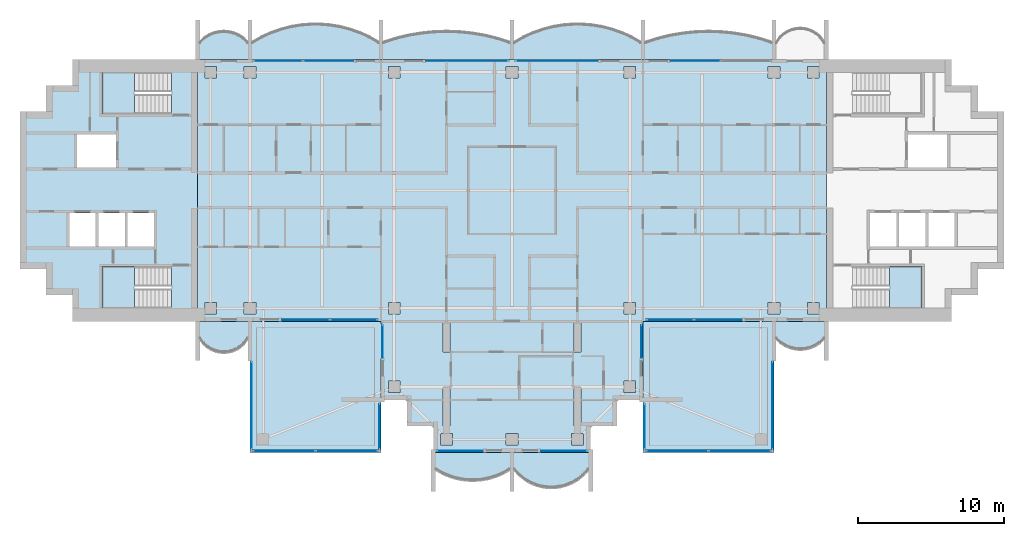
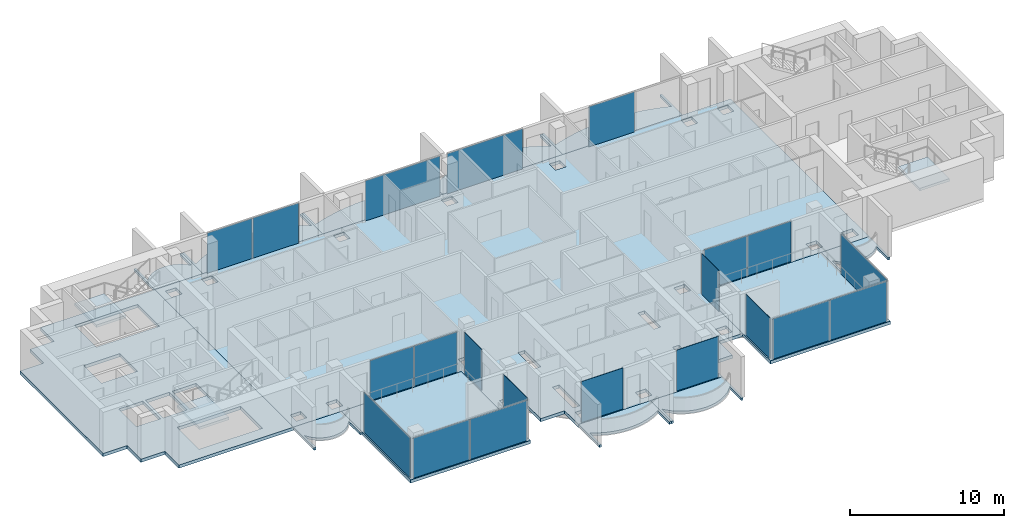
# One storey, part 5 of 16: 21 plates, 16 slabs, 19 elements without a shape of their own.
"""IFC4 building model written with IfcOpenShell, lengths in metres."""

from ifc_helpers import new_model, si_unit, direction, frame, origin, origin_2d, place, context, subcontext, project, spatial, polyline, rectangle, outline, extrude, material, layer, layer_set, type_object, element, aggregate, save


model = new_model("IFC4")

# Units and contexts
model_context = context("Model", 3, precision=1e-05, world=origin(), true_north=direction((0.0, 1.0)))
body_context = subcontext(model_context, "Body", "Model", "MODEL_VIEW")
ifc_project = project(units=[si_unit("LENGTHUNIT", "METRE"), si_unit("AREAUNIT", "SQUARE_METRE"), si_unit("VOLUMEUNIT", "CUBIC_METRE"), si_unit("PLANEANGLEUNIT", "RADIAN"), si_unit("MASSUNIT", "GRAM", prefix="KILO")], contexts=[model_context])

# Site, building, storey
site_placement = place(None, origin())
site = spatial("IfcSite", under=ifc_project, at=site_placement, CompositionType="ELEMENT")
building_placement = place(site_placement, origin())
building = spatial("IfcBuilding", under=site, at=building_placement, Name="Perihelion Cross Residences", CompositionType="ELEMENT")
storey_placement = place(building_placement, frame((0.0, 0.0, 236.0)))
storey = spatial("IfcBuildingStorey", under=building, at=storey_placement, Name="L59", CompositionType="ELEMENT", Elevation=236.0)

# Slabs
ifc_material_1 = material(Name="Concrete C40/50", Category="concrete")
ifc_layer_1 = layer(ifc_material_1, 0.199951171875)
ifc_layer_set_1 = layer_set([ifc_layer_1], Name="Balcony slab 200")
slab_type_1 = type_object("IfcSlabType", Name="Balcony slab 200", PredefinedType="FLOOR", material=ifc_layer_set_1)
slab_1_placement = place(storey_placement, frame((0.0, 0.0, -0.199951171875)))
element("IfcSlab", 1, at=slab_1_placement, inside=storey, type_object=slab_type_1, Name="Slab BK1 L59 east side north bay 2 balcony", PredefinedType="FLOOR", context=body_context, shape_type="SweptSolid", body=[
    extrude(outline(polyline([(18.0, 9.0), (9.0, 9.0), (9.0, 11.699951171875), (9.14990234375, 11.699951171875), (9.14990234375, 10.199951171875), (10.02001953125, 10.47509765625), (10.889892578125, 10.68505859375), (11.760009765625, 10.8330078125), (12.6298828125, 10.9208984375), (13.5, 10.949951171875), (14.3701171875, 10.9208984375), (15.239990234375, 10.8330078125), (16.110107421875, 10.68505859375), (16.97998046875, 10.47509765625), (17.85009765625, 10.199951171875), (17.85009765625, 11.699951171875), (18.0, 11.699951171875), (18.0, 9.0)])), origin(), (0.0, 0.0, 1.0), 0.199951171875),
])
slab_2_placement = place(storey_placement, frame((0.0, 0.0, -0.199951171875)))
element("IfcSlab", 2, at=slab_2_placement, inside=storey, type_object=slab_type_1, Name="Slab BK1 L59 north side east bay 1 balcony", PredefinedType="FLOOR", context=body_context, shape_type="SweptSolid", body=[
    extrude(outline(polyline([(9.0, 9.0), (0.0, 9.0), (0.0, 11.699951171875), (0.14990234375, 11.699951171875), (0.14990234375, 10.199951171875), (0.8193359375, 10.57666015625), (1.488525390625, 10.87646484375), (2.15771484375, 11.108154296875), (2.826904296875, 11.27734375), (3.49609375, 11.38818359375), (4.165283203125, 11.443115234375), (4.834716796875, 11.443115234375), (5.50390625, 11.38818359375), (6.173095703125, 11.27734375), (6.84228515625, 11.108154296875), (7.511474609375, 10.87646484375), (8.1806640625, 10.57666015625), (8.85009765625, 10.199951171875), (8.85009765625, 11.699951171875), (9.0, 11.699951171875), (9.0, 9.0)])), origin(), (0.0, 0.0, 1.0), 0.199951171875),
])
slab_3_placement = place(storey_placement, frame((0.0, 0.0, -0.199951171875)))
element("IfcSlab", 3, at=slab_3_placement, inside=storey, type_object=slab_type_1, Name="Slab BK1 L59 north side east bay 2 balcony", PredefinedType="FLOOR", context=body_context, shape_type="SweptSolid", body=[
    extrude(outline(polyline([(0.0, 9.0), (-9.0, 9.0), (-9.0, 11.699951171875), (-8.85009765625, 11.699951171875), (-8.85009765625, 10.199951171875), (-7.97998046875, 10.47509765625), (-7.110107421875, 10.68505859375), (-6.239990234375, 10.8330078125), (-5.3701171875, 10.9208984375), (-4.5, 10.949951171875), (-3.6298828125, 10.9208984375), (-2.760009765625, 10.8330078125), (-1.889892578125, 10.68505859375), (-1.02001953125, 10.47509765625), (-0.14990234375, 10.199951171875), (-0.14990234375, 11.699951171875), (0.0, 11.699951171875), (0.0, 9.0)])), origin(), (0.0, 0.0, 1.0), 0.199951171875),
])
slab_4_placement = place(storey_placement, frame((0.0, 0.0, -0.199951171875)))
element("IfcSlab", 4, at=slab_4_placement, inside=storey, type_object=slab_type_1, Name="Slab BK1 L59 west side north bay 1 balcony", PredefinedType="FLOOR", context=body_context, shape_type="SweptSolid", body=[
    extrude(outline(polyline([(-9.0, 9.0), (-18.0, 9.0), (-18.0, 11.699951171875), (-17.85009765625, 11.699951171875), (-17.85009765625, 10.199951171875), (-17.1806640625, 10.57666015625), (-16.511474609375, 10.87646484375), (-15.84228515625, 11.108154296875), (-15.173095703125, 11.27734375), (-14.50390625, 11.38818359375), (-13.834716796875, 11.443115234375), (-13.165283203125, 11.443115234375), (-12.49609375, 11.38818359375), (-11.826904296875, 11.27734375), (-11.15771484375, 11.108154296875), (-10.488525390625, 10.87646484375), (-9.8193359375, 10.57666015625), (-9.14990234375, 10.199951171875), (-9.14990234375, 11.699951171875), (-9.0, 11.699951171875), (-9.0, 9.0)])), origin(), (0.0, 0.0, 1.0), 0.199951171875),
])
slab_5_placement = place(storey_placement, frame((0.0, 0.0, -0.199951171875)))
element("IfcSlab", 5, at=slab_5_placement, inside=storey, type_object=slab_type_1, Name="Slab BK1 L59 west side north bay 2 balcony", PredefinedType="FLOOR", context=body_context, shape_type="SweptSolid", body=[
    extrude(outline(polyline([(-18.0, 9.0), (-21.60009765625, 9.0), (-21.60009765625, 11.699951171875), (-21.449951171875, 11.699951171875), (-21.449951171875, 10.199951171875), (-21.1201171875, 10.507568359375), (-20.7900390625, 10.71337890625), (-20.4599609375, 10.84814453125), (-20.1298828125, 10.925048828125), (-19.800048828125, 10.949951171875), (-19.469970703125, 10.925048828125), (-19.139892578125, 10.84814453125), (-18.81005859375, 10.71337890625), (-18.47998046875, 10.507568359375), (-18.14990234375, 10.199951171875), (-18.14990234375, 11.699951171875), (-18.0, 11.699951171875), (-18.0, 9.0)])), origin(), (0.0, 0.0, 1.0), 0.199951171875),
])
slab_6_placement = place(storey_placement, frame((0.0, 0.0, -0.199951171875)))
element("IfcSlab", 6, at=slab_6_placement, inside=storey, type_object=slab_type_1, Name="Slab BK1 L59 west side south bay 1 balcony", PredefinedType="FLOOR", context=body_context, shape_type="SweptSolid", body=[
    extrude(outline(polyline([(-21.60009765625, -9.0), (-18.0, -9.0), (-18.0, -11.699951171875), (-18.14990234375, -11.699951171875), (-18.14990234375, -10.199951171875), (-18.425048828125, -10.568603515625), (-18.699951171875, -10.806396484375), (-18.97509765625, -10.96875), (-19.25, -11.07568359375), (-19.52490234375, -11.136962890625), (-19.800048828125, -11.156982421875), (-20.074951171875, -11.136962890625), (-20.35009765625, -11.07568359375), (-20.625, -10.96875), (-20.89990234375, -10.806396484375), (-21.175048828125, -10.568603515625), (-21.449951171875, -10.199951171875), (-21.449951171875, -11.699951171875), (-21.60009765625, -11.699951171875), (-21.60009765625, -9.0)])), origin(), (0.0, 0.0, 1.0), 0.199951171875),
])
slab_7_placement = place(storey_placement, frame((0.0, 0.0, -0.199951171875)))
element("IfcSlab", 7, at=slab_7_placement, inside=storey, type_object=slab_type_1, Name="Slab BK1 L59 south tip south bay 1 balcony", PredefinedType="FLOOR", context=body_context, shape_type="SweptSolid", body=[
    extrude(outline(polyline([(-5.39990234375, -18.0), (0.0, -18.0), (0.0, -20.699951171875), (-0.14990234375, -20.699951171875), (-0.14990234375, -19.199951171875), (-0.659912109375, -19.4853515625), (-1.169921875, -19.694580078125), (-1.679931640625, -19.838134765625), (-2.18994140625, -19.92236328125), (-2.699951171875, -19.949951171875), (-3.2099609375, -19.92236328125), (-3.719970703125, -19.838134765625), (-4.22998046875, -19.694580078125), (-4.739990234375, -19.4853515625), (-5.25, -19.199951171875), (-5.25, -20.699951171875), (-5.39990234375, -20.699951171875), (-5.39990234375, -18.0)])), origin(), (0.0, 0.0, 1.0), 0.199951171875),
])
slab_8_placement = place(storey_placement, frame((0.0, 0.0, -0.199951171875)))
element("IfcSlab", 8, at=slab_8_placement, inside=storey, type_object=slab_type_1, Name="Slab BK1 L59 south tip south bay 2 balcony", PredefinedType="FLOOR", context=body_context, shape_type="SweptSolid", body=[
    extrude(outline(polyline([(0.0, -18.0), (5.39990234375, -18.0), (5.39990234375, -20.699951171875), (5.25, -20.699951171875), (5.25, -19.199951171875), (4.857666015625, -19.622314453125), (4.46533203125, -19.924072265625), (4.072998046875, -20.143310546875), (3.6806640625, -20.29736328125), (3.28857421875, -20.39599609375), (2.896240234375, -20.444091796875), (2.50390625, -20.444091796875), (2.111572265625, -20.39599609375), (1.71923828125, -20.29736328125), (1.326904296875, -20.143310546875), (0.9345703125, -19.924072265625), (0.542236328125, -19.622314453125), (0.14990234375, -19.199951171875), (0.14990234375, -20.699951171875), (0.0, -20.699951171875), (0.0, -18.0)])), origin(), (0.0, 0.0, 1.0), 0.199951171875),
])
slab_9_placement = place(storey_placement, frame((0.0, 0.0, -0.199951171875)))
element("IfcSlab", 9, at=slab_9_placement, inside=storey, type_object=slab_type_1, Name="Slab BK1 L59 east side south bay 2 balcony", PredefinedType="FLOOR", context=body_context, shape_type="SweptSolid", body=[
    extrude(outline(polyline([(18.0, -9.0), (21.60009765625, -9.0), (21.60009765625, -11.699951171875), (21.449951171875, -11.699951171875), (21.449951171875, -10.199951171875), (21.1201171875, -10.507568359375), (20.7900390625, -10.71337890625), (20.4599609375, -10.84814453125), (20.1298828125, -10.925048828125), (19.800048828125, -10.949951171875), (19.469970703125, -10.925048828125), (19.139892578125, -10.84814453125), (18.81005859375, -10.71337890625), (18.47998046875, -10.507568359375), (18.14990234375, -10.199951171875), (18.14990234375, -11.699951171875), (18.0, -11.699951171875), (18.0, -9.0)])), origin(), (0.0, 0.0, 1.0), 0.199951171875),
])

# Curtain wall, plate
ifc_material_2 = material(Name="Bronze anodised aluminium, tinted glazing", Category="aluminium")
curtain_wall_type_1 = type_object("IfcCurtainWallType", Name="CW1", PredefinedType="NOTDEFINED", material=ifc_material_2)
curtain_wall_1_placement = place(storey_placement, origin())
curtain_wall_1 = element("IfcCurtainWall", 10, at=curtain_wall_1_placement, inside=storey, type_object=curtain_wall_type_1, Name="Curtain wall CW1 L59 east side north bay 2", PredefinedType="NOTDEFINED")
ifc_material_3 = material(Name="Tinted laminated glass", Category="glass")
ifc_layer_2 = layer(ifc_material_3, 0.028076171875)
ifc_layer_set_2 = layer_set([ifc_layer_2], Name="CW1 panel")
plate_type_1 = type_object("IfcPlateType", Name="CW1 panel", PredefinedType="CURTAIN_PANEL", material=ifc_layer_set_2)
plate_1_placement = place(storey_placement, frame((12.610107421875, 8.89990234375, 0.0), z_axis=(0.0, 0.0, 1.0), x_axis=(-1.0, 0.0, 0.0)))
plate_1 = element("IfcPlate", 11, at=plate_1_placement, type_object=plate_type_1, Name="CW1 panel 2", PredefinedType="CURTAIN_PANEL", context=body_context, shape_type="SweptSolid", body=[
    extrude(rectangle(XDim=3.419921875, YDim=0.028076171875, at=origin_2d()), origin(), (0.0, 0.0, 1.0), 3.18994140625),
])
aggregate(curtain_wall_1, [plate_1])

curtain_wall_2_placement = place(storey_placement, origin())
curtain_wall_2 = element("IfcCurtainWall", 12, at=curtain_wall_2_placement, inside=storey, type_object=curtain_wall_type_1, Name="Curtain wall CW1 L59 north side east bay 1", PredefinedType="NOTDEFINED")
plate_2_placement = place(storey_placement, frame((3.080078125, 8.89990234375, 0.0), z_axis=(0.0, 0.0, 1.0), x_axis=(-1.0, 0.0, 0.0)))
plate_2 = element("IfcPlate", 13, at=plate_2_placement, type_object=plate_type_1, Name="CW1 panel 1", PredefinedType="CURTAIN_PANEL", context=body_context, shape_type="SweptSolid", body=[
    extrude(rectangle(XDim=5.639892578125, YDim=0.028076171875, at=origin_2d()), origin(), (0.0, 0.0, 1.0), 3.18994140625),
])
aggregate(curtain_wall_2, [plate_2])

curtain_wall_3_placement = place(storey_placement, origin())
curtain_wall_3 = element("IfcCurtainWall", 14, at=curtain_wall_3_placement, inside=storey, type_object=curtain_wall_type_1, Name="Curtain wall CW1 L59 north side east bay 2", PredefinedType="NOTDEFINED")
plate_3_placement = place(storey_placement, frame((-3.080078125, 8.89990234375, 0.0), z_axis=(0.0, 0.0, 1.0), x_axis=(-1.0, 0.0, 0.0)))
plate_3 = element("IfcPlate", 15, at=plate_3_placement, type_object=plate_type_1, Name="CW1 panel 1", PredefinedType="CURTAIN_PANEL", context=body_context, shape_type="SweptSolid", body=[
    extrude(rectangle(XDim=5.639892578125, YDim=0.028076171875, at=origin_2d()), origin(), (0.0, 0.0, 1.0), 3.18994140625),
])
aggregate(curtain_wall_3, [plate_3])

# Curtain wall, plates
curtain_wall_4_placement = place(storey_placement, origin())
curtain_wall_4 = element("IfcCurtainWall", 16, at=curtain_wall_4_placement, inside=storey, type_object=curtain_wall_type_1, Name="Curtain wall CW1 L59 west side north bay 1", PredefinedType="NOTDEFINED")
plate_4_placement = place(storey_placement, frame((-12.610107421875, 8.89990234375, 0.0), z_axis=(0.0, 0.0, 1.0), x_axis=(-1.0, 0.0, 0.0)))
plate_4 = element("IfcPlate", 17, at=plate_4_placement, type_object=plate_type_1, Name="CW1 panel 1", PredefinedType="CURTAIN_PANEL", context=body_context, shape_type="SweptSolid", body=[
    extrude(rectangle(XDim=3.419921875, YDim=0.028076171875, at=origin_2d()), origin(), (0.0, 0.0, 1.0), 3.18994140625),
])
plate_5_placement = place(storey_placement, frame((-16.06005859375, 8.89990234375, 0.0), z_axis=(0.0, 0.0, 1.0), x_axis=(-1.0, 0.0, 0.0)))
plate_5 = element("IfcPlate", 18, at=plate_5_placement, type_object=plate_type_1, Name="CW1 panel 2", PredefinedType="CURTAIN_PANEL", context=body_context, shape_type="SweptSolid", body=[
    extrude(rectangle(XDim=3.360107421875, YDim=0.028076171875, at=origin_2d()), origin(), (0.0, 0.0, 1.0), 3.18994140625),
])
aggregate(curtain_wall_4, [plate_4, plate_5])

curtain_wall_5_placement = place(storey_placement, origin())
curtain_wall_5 = element("IfcCurtainWall", 19, at=curtain_wall_5_placement, inside=storey, type_object=curtain_wall_type_1, Name="Curtain wall CW1 L59 west side south bay 2", PredefinedType="NOTDEFINED")
plate_6_placement = place(storey_placement, frame((-14.1650390625, -8.89990234375, 0.0), z_axis=(0.0, 0.0, 1.0), x_axis=(1.0, 0.0, 0.0)))
plate_6 = element("IfcPlate", 20, at=plate_6_placement, type_object=plate_type_1, Name="CW1 panel 1", PredefinedType="CURTAIN_PANEL", context=body_context, shape_type="SweptSolid", body=[
    extrude(rectangle(XDim=3.27001953125, YDim=0.028076171875, at=origin_2d()), origin(), (0.0, 0.0, 1.0), 3.18994140625),
])
plate_7_placement = place(storey_placement, frame((-10.864990234375, -8.89990234375, 0.0), z_axis=(0.0, 0.0, 1.0), x_axis=(1.0, 0.0, 0.0)))
plate_7 = element("IfcPlate", 21, at=plate_7_placement, type_object=plate_type_1, Name="CW1 panel 2", PredefinedType="CURTAIN_PANEL", context=body_context, shape_type="SweptSolid", body=[
    extrude(rectangle(XDim=3.2099609375, YDim=0.028076171875, at=origin_2d()), origin(), (0.0, 0.0, 1.0), 3.18994140625),
])
aggregate(curtain_wall_5, [plate_6, plate_7])

# Curtain wall, plate
curtain_wall_6_placement = place(storey_placement, origin())
curtain_wall_6 = element("IfcCurtainWall", 22, at=curtain_wall_6_placement, inside=storey, type_object=curtain_wall_type_1, Name="Curtain wall CW1 L59 south side west bay 1", PredefinedType="NOTDEFINED")
plate_8_placement = place(storey_placement, frame((-8.89990234375, -10.3798828125, 0.0), z_axis=(0.0, 0.0, 1.0), x_axis=(0.0, -1.0, 0.0)))
plate_8 = element("IfcPlate", 23, at=plate_8_placement, type_object=plate_type_1, Name="CW1 panel 1", PredefinedType="CURTAIN_PANEL", context=body_context, shape_type="SweptSolid", body=[
    extrude(rectangle(XDim=2.239990234375, YDim=0.028076171875, at=origin_2d()), origin(), (0.0, 0.0, 1.0), 3.25),
])
aggregate(curtain_wall_6, [plate_8])

curtain_wall_7_placement = place(storey_placement, origin())
curtain_wall_7 = element("IfcCurtainWall", 24, at=curtain_wall_7_placement, inside=storey, type_object=curtain_wall_type_1, Name="Curtain wall CW1 L59 south tip south bay 1", PredefinedType="NOTDEFINED")
plate_9_placement = place(storey_placement, frame((-3.570068359375, -17.89990234375, 0.0), z_axis=(0.0, 0.0, 1.0), x_axis=(1.0, 0.0, 0.0)))
plate_9 = element("IfcPlate", 25, at=plate_9_placement, type_object=plate_type_1, Name="CW1 panel 1", PredefinedType="CURTAIN_PANEL", context=body_context, shape_type="SweptSolid", body=[
    extrude(rectangle(XDim=3.139892578125, YDim=0.028076171875, at=origin_2d()), origin(), (0.0, 0.0, 1.0), 3.25),
])
aggregate(curtain_wall_7, [plate_9])

curtain_wall_8_placement = place(storey_placement, origin())
curtain_wall_8 = element("IfcCurtainWall", 26, at=curtain_wall_8_placement, inside=storey, type_object=curtain_wall_type_1, Name="Curtain wall CW1 L59 south tip south bay 2", PredefinedType="NOTDEFINED")
plate_10_placement = place(storey_placement, frame((3.570068359375, -17.89990234375, 0.0), z_axis=(0.0, 0.0, 1.0), x_axis=(1.0, 0.0, 0.0)))
plate_10 = element("IfcPlate", 27, at=plate_10_placement, type_object=plate_type_1, Name="CW1 panel 1", PredefinedType="CURTAIN_PANEL", context=body_context, shape_type="SweptSolid", body=[
    extrude(rectangle(XDim=3.139892578125, YDim=0.028076171875, at=origin_2d()), origin(), (0.0, 0.0, 1.0), 3.25),
])
aggregate(curtain_wall_8, [plate_10])

curtain_wall_9_placement = place(storey_placement, origin())
curtain_wall_9 = element("IfcCurtainWall", 28, at=curtain_wall_9_placement, inside=storey, type_object=curtain_wall_type_1, Name="Curtain wall CW1 L59 south side east bay 1", PredefinedType="NOTDEFINED")
plate_11_placement = place(storey_placement, frame((8.89990234375, -10.3798828125, 0.0), z_axis=(0.0, 0.0, 1.0), x_axis=(0.0, 1.0, 0.0)))
plate_11 = element("IfcPlate", 29, at=plate_11_placement, type_object=plate_type_1, Name="CW1 panel 1", PredefinedType="CURTAIN_PANEL", context=body_context, shape_type="SweptSolid", body=[
    extrude(rectangle(XDim=2.239990234375, YDim=0.028076171875, at=origin_2d()), origin(), (0.0, 0.0, 1.0), 3.25),
])
aggregate(curtain_wall_9, [plate_11])

# Curtain wall, plates
curtain_wall_10_placement = place(storey_placement, origin())
curtain_wall_10 = element("IfcCurtainWall", 30, at=curtain_wall_10_placement, inside=storey, type_object=curtain_wall_type_1, Name="Curtain wall CW1 L59 east side south bay 1", PredefinedType="NOTDEFINED")
plate_12_placement = place(storey_placement, frame((10.864990234375, -8.89990234375, 0.0), z_axis=(0.0, 0.0, 1.0), x_axis=(1.0, 0.0, 0.0)))
plate_12 = element("IfcPlate", 31, at=plate_12_placement, type_object=plate_type_1, Name="CW1 panel 1", PredefinedType="CURTAIN_PANEL", context=body_context, shape_type="SweptSolid", body=[
    extrude(rectangle(XDim=3.2099609375, YDim=0.028076171875, at=origin_2d()), origin(), (0.0, 0.0, 1.0), 3.18994140625),
])
plate_13_placement = place(storey_placement, frame((14.1650390625, -8.89990234375, 0.0), z_axis=(0.0, 0.0, 1.0), x_axis=(1.0, 0.0, 0.0)))
plate_13 = element("IfcPlate", 32, at=plate_13_placement, type_object=plate_type_1, Name="CW1 panel 2", PredefinedType="CURTAIN_PANEL", context=body_context, shape_type="SweptSolid", body=[
    extrude(rectangle(XDim=3.27001953125, YDim=0.028076171875, at=origin_2d()), origin(), (0.0, 0.0, 1.0), 3.18994140625),
])
aggregate(curtain_wall_10, [plate_12, plate_13])

# Curtain wall, plate
ifc_material_4 = material(Name="Bronze anodised aluminium, tinted glazing", Category="aluminium")
curtain_wall_type_2 = type_object("IfcCurtainWallType", Name="CW4", PredefinedType="NOTDEFINED", material=ifc_material_4)
curtain_wall_11_placement = place(storey_placement, origin())
curtain_wall_11 = element("IfcCurtainWall", 33, at=curtain_wall_11_placement, inside=storey, type_object=curtain_wall_type_2, Name="Curtain wall CW4 L59 pocket south-east 1 1", PredefinedType="NOTDEFINED")
ifc_material_5 = material(Name="Tinted laminated glass", Category="glass")
ifc_layer_3 = layer(ifc_material_5, 0.030029296875)
ifc_layer_set_3 = layer_set([ifc_layer_3], Name="CW4 panel")
plate_type_2 = type_object("IfcPlateType", Name="CW4 panel", PredefinedType="CURTAIN_PANEL", material=ifc_layer_set_3)
plate_14_placement = place(storey_placement, frame((17.89990234375, -14.784912109375, 0.0), z_axis=(0.0, 0.0, 1.0), x_axis=(0.0, -1.0, 0.0)))
plate_14 = element("IfcPlate", 34, at=plate_14_placement, type_object=plate_type_2, Name="CW4 panel 1", PredefinedType="CURTAIN_PANEL", context=body_context, shape_type="SweptSolid", body=[
    extrude(rectangle(XDim=5.969970703125, YDim=0.030029296875, at=origin_2d()), origin(), (0.0, 0.0, 1.0), 3.18994140625),
])
aggregate(curtain_wall_11, [plate_14])

# Curtain wall, plates
curtain_wall_12_placement = place(storey_placement, origin())
curtain_wall_12 = element("IfcCurtainWall", 35, at=curtain_wall_12_placement, inside=storey, type_object=curtain_wall_type_2, Name="Curtain wall CW4 L59 pocket south-east 1 2", PredefinedType="NOTDEFINED")
plate_15_placement = place(storey_placement, frame((15.64990234375, -17.89990234375, 0.0), z_axis=(0.0, 0.0, 1.0), x_axis=(-1.0, 0.0, 0.0)))
plate_15 = element("IfcPlate", 36, at=plate_15_placement, type_object=plate_type_2, Name="CW4 panel 1", PredefinedType="CURTAIN_PANEL", context=body_context, shape_type="SweptSolid", body=[
    extrude(rectangle(XDim=4.239990234375, YDim=0.030029296875, at=origin_2d()), origin(), (0.0, 0.0, 1.0), 3.18994140625),
])
plate_16_placement = place(storey_placement, frame((11.35009765625, -17.89990234375, 0.0), z_axis=(0.0, 0.0, 1.0), x_axis=(-1.0, 0.0, 0.0)))
plate_16 = element("IfcPlate", 37, at=plate_16_placement, type_object=plate_type_2, Name="CW4 panel 2", PredefinedType="CURTAIN_PANEL", context=body_context, shape_type="SweptSolid", body=[
    extrude(rectangle(XDim=4.239990234375, YDim=0.030029296875, at=origin_2d()), origin(), (0.0, 0.0, 1.0), 3.18994140625),
])
aggregate(curtain_wall_12, [plate_15, plate_16])

# Curtain wall, plate
curtain_wall_13_placement = place(storey_placement, origin())
curtain_wall_13 = element("IfcCurtainWall", 38, at=curtain_wall_13_placement, inside=storey, type_object=curtain_wall_type_2, Name="Curtain wall CW4 L59 pocket south-east 1 3", PredefinedType="NOTDEFINED")
plate_17_placement = place(storey_placement, frame((9.10009765625, -16.2294921875, 0.0), z_axis=(0.0, 0.0, 1.0), x_axis=(0.0, 1.0, 0.0)))
plate_17 = element("IfcPlate", 39, at=plate_17_placement, type_object=plate_type_2, Name="CW4 panel 1", PredefinedType="CURTAIN_PANEL", context=body_context, shape_type="SweptSolid", body=[
    extrude(rectangle(XDim=3.0810546875, YDim=0.030029296875, at=origin_2d()), origin(), (0.0, 0.0, 1.0), 3.25),
])
aggregate(curtain_wall_13, [plate_17])

curtain_wall_14_placement = place(storey_placement, origin())
curtain_wall_14 = element("IfcCurtainWall", 40, at=curtain_wall_14_placement, inside=storey, type_object=curtain_wall_type_2, Name="Curtain wall CW4 L59 pocket south-west 1 1", PredefinedType="NOTDEFINED")
plate_18_placement = place(storey_placement, frame((-9.10009765625, -16.2294921875, 0.0), z_axis=(0.0, 0.0, 1.0), x_axis=(0.0, -1.0, 0.0)))
plate_18 = element("IfcPlate", 41, at=plate_18_placement, type_object=plate_type_2, Name="CW4 panel 1", PredefinedType="CURTAIN_PANEL", context=body_context, shape_type="SweptSolid", body=[
    extrude(rectangle(XDim=3.0810546875, YDim=0.030029296875, at=origin_2d()), origin(), (0.0, 0.0, 1.0), 3.25),
])
aggregate(curtain_wall_14, [plate_18])

# Curtain wall, plates
curtain_wall_15_placement = place(storey_placement, origin())
curtain_wall_15 = element("IfcCurtainWall", 42, at=curtain_wall_15_placement, inside=storey, type_object=curtain_wall_type_2, Name="Curtain wall CW4 L59 pocket south-west 1 2", PredefinedType="NOTDEFINED")
plate_19_placement = place(storey_placement, frame((-11.35009765625, -17.89990234375, 0.0), z_axis=(0.0, 0.0, 1.0), x_axis=(-1.0, 0.0, 0.0)))
plate_19 = element("IfcPlate", 43, at=plate_19_placement, type_object=plate_type_2, Name="CW4 panel 1", PredefinedType="CURTAIN_PANEL", context=body_context, shape_type="SweptSolid", body=[
    extrude(rectangle(XDim=4.239990234375, YDim=0.030029296875, at=origin_2d()), origin(), (0.0, 0.0, 1.0), 3.18994140625),
])
plate_20_placement = place(storey_placement, frame((-15.64990234375, -17.89990234375, 0.0), z_axis=(0.0, 0.0, 1.0), x_axis=(-1.0, 0.0, 0.0)))
plate_20 = element("IfcPlate", 44, at=plate_20_placement, type_object=plate_type_2, Name="CW4 panel 2", PredefinedType="CURTAIN_PANEL", context=body_context, shape_type="SweptSolid", body=[
    extrude(rectangle(XDim=4.239990234375, YDim=0.030029296875, at=origin_2d()), origin(), (0.0, 0.0, 1.0), 3.18994140625),
])
aggregate(curtain_wall_15, [plate_19, plate_20])

# Curtain wall, plate
curtain_wall_16_placement = place(storey_placement, origin())
curtain_wall_16 = element("IfcCurtainWall", 45, at=curtain_wall_16_placement, inside=storey, type_object=curtain_wall_type_2, Name="Curtain wall CW4 L59 pocket south-west 1 3", PredefinedType="NOTDEFINED")
plate_21_placement = place(storey_placement, frame((-17.89990234375, -14.784912109375, 0.0), z_axis=(0.0, 0.0, 1.0), x_axis=(0.0, 1.0, 0.0)))
plate_21 = element("IfcPlate", 46, at=plate_21_placement, type_object=plate_type_2, Name="CW4 panel 1", PredefinedType="CURTAIN_PANEL", context=body_context, shape_type="SweptSolid", body=[
    extrude(rectangle(XDim=5.969970703125, YDim=0.030029296875, at=origin_2d()), origin(), (0.0, 0.0, 1.0), 3.18994140625),
])
aggregate(curtain_wall_16, [plate_21])

# Slab
ifc_material_6 = material(Name="Concrete C40/50", Category="concrete")
ifc_layer_4 = layer(ifc_material_6, 0.25)
ifc_layer_set_4 = layer_set([ifc_layer_4], Name="Core floor slab 250")
slab_type_2 = type_object("IfcSlabType", Name="Core floor slab 250", PredefinedType="FLOOR", material=ifc_layer_set_4)
slab_10_placement = place(storey_placement, frame((0.0, 0.0, -0.25)))
element("IfcSlab", 47, at=slab_10_placement, inside=storey, type_object=slab_type_2, Name="West core floor slab", PredefinedType="FLOOR", context=body_context, shape_type="SweptSolid", body=[
    extrude(outline(polyline([(-30.199951171875, 7.199951171875), (-32.0, 7.199951171875), (-32.0, 5.39990234375), (-33.800048828125, 5.39990234375), (-33.800048828125, -5.39990234375), (-32.0, -5.39990234375), (-32.0, -7.199951171875), (-30.199951171875, -7.199951171875), (-30.199951171875, -9.0), (-21.60009765625, -9.0), (-21.60009765625, 9.0), (-30.199951171875, 9.0), (-30.199951171875, 7.199951171875)]), holes=[polyline([(-28.14990234375, -8.10009765625), (-28.14990234375, -5.25), (-23.405029296875, -5.25), (-23.405029296875, -8.10009765625), (-28.14990234375, -8.10009765625)]), polyline([(-24.60009765625, -1.550048828125), (-24.60009765625, -3.85009765625), (-26.39990234375, -3.85009765625), (-26.39990234375, -1.550048828125), (-24.60009765625, -1.550048828125)]), polyline([(-26.60009765625, -1.550048828125), (-26.60009765625, -3.85009765625), (-28.39990234375, -3.85009765625), (-28.39990234375, -1.550048828125), (-26.60009765625, -1.550048828125)]), polyline([(-28.60009765625, -3.85009765625), (-30.39990234375, -3.85009765625), (-30.39990234375, -1.550048828125), (-28.60009765625, -1.550048828125), (-28.60009765625, -3.85009765625)]), polyline([(-27.199951171875, 3.85009765625), (-27.199951171875, 1.550048828125), (-29.89990234375, 1.550048828125), (-29.89990234375, 3.85009765625), (-27.199951171875, 3.85009765625)]), polyline([(-23.405029296875, 5.25), (-28.14990234375, 5.25), (-28.14990234375, 8.10009765625), (-23.405029296875, 8.10009765625), (-23.405029296875, 5.25)])]), origin(), (0.0, 0.0, 1.0), 0.25),
])

# Stair, slab
ifc_material_7 = material(Name="Concrete C40/50", Category="concrete")
stair_type = type_object("IfcStairType", Name="Exit stair, half-turn", PredefinedType="HALF_TURN_STAIR", material=ifc_material_7)
stair_1_placement = place(storey_placement, origin())
stair_1 = element("IfcStair", 48, at=stair_1_placement, inside=storey, type_object=stair_type, Name="L59 East core exit stair 2", PredefinedType="HALF_TURN_STAIR")
ifc_material_8 = material(Name="Concrete C40/50", Category="concrete")
ifc_layer_5 = layer(ifc_material_8, 0.199951171875)
ifc_layer_set_5 = layer_set([ifc_layer_5], Name="Exit stair landing 200")
slab_type_3 = type_object("IfcSlabType", Name="Exit stair landing 200", PredefinedType="LANDING", material=ifc_layer_set_5)
slab_11_placement = place(storey_placement, frame((0.0, 0.0, 1.550048828125)))
slab_11 = element("IfcSlab", 49, at=slab_11_placement, type_object=slab_type_3, Name="ST-E2 landing 1", PredefinedType="LANDING", context=body_context, shape_type="SweptSolid", body=[
    extrude(outline(polyline([(25.919921875, -8.10009765625), (28.14990234375, -8.10009765625), (28.14990234375, -5.25), (25.919921875, -5.25), (25.919921875, -8.10009765625)])), origin(), (0.0, 0.0, 1.0), 0.199951171875),
])
aggregate(stair_1, [slab_11])

stair_2_placement = place(storey_placement, origin())
stair_2 = element("IfcStair", 50, at=stair_2_placement, inside=storey, type_object=stair_type, Name="L59 West core exit stair 1", PredefinedType="HALF_TURN_STAIR")
slab_12_placement = place(storey_placement, frame((0.0, 0.0, 1.550048828125)))
slab_12 = element("IfcSlab", 51, at=slab_12_placement, type_object=slab_type_3, Name="ST-W1 landing 1", PredefinedType="LANDING", context=body_context, shape_type="SweptSolid", body=[
    extrude(outline(polyline([(-25.919921875, 8.10009765625), (-28.14990234375, 8.10009765625), (-28.14990234375, 5.25), (-25.919921875, 5.25), (-25.919921875, 8.10009765625)])), origin(), (0.0, 0.0, 1.0), 0.199951171875),
])
aggregate(stair_2, [slab_12])

stair_3_placement = place(storey_placement, origin())
stair_3 = element("IfcStair", 52, at=stair_3_placement, inside=storey, type_object=stair_type, Name="L59 West core exit stair 2", PredefinedType="HALF_TURN_STAIR")
slab_13_placement = place(storey_placement, frame((0.0, 0.0, 1.550048828125)))
slab_13 = element("IfcSlab", 53, at=slab_13_placement, type_object=slab_type_3, Name="ST-W2 landing 1", PredefinedType="LANDING", context=body_context, shape_type="SweptSolid", body=[
    extrude(outline(polyline([(-25.919921875, -5.25), (-28.14990234375, -5.25), (-28.14990234375, -8.10009765625), (-25.919921875, -8.10009765625), (-25.919921875, -5.25)])), origin(), (0.0, 0.0, 1.0), 0.199951171875),
])
aggregate(stair_3, [slab_13])

# Slabs
ifc_material_9 = material(Name="Concrete C50/60", Category="concrete")
ifc_layer_6 = layer(ifc_material_9, 0.25)
ifc_layer_set_6 = layer_set([ifc_layer_6], Name="Residential floor post-tensioned slab concrete C50/60")
slab_type_4 = type_object("IfcSlabType", Name="Residential floor post-tensioned slab concrete C50/60", PredefinedType="FLOOR", material=ifc_layer_set_6)
slab_14_placement = place(storey_placement, frame((0.0, 0.0, -0.25)))
element("IfcSlab", 54, at=slab_14_placement, inside=storey, type_object=slab_type_4, Name="Slab SL8 L59 1 no. 1", PredefinedType="FLOOR", context=body_context, shape_type="SweptSolid", body=[
    extrude(outline(polyline([(-9.0, 9.0), (9.0, 9.0), (21.60009765625, 9.0), (21.60009765625, -9.0), (9.0, -9.0), (9.0, -14.39990234375), (7.199951171875, -14.39990234375), (7.199951171875, -16.199951171875), (5.39990234375, -16.199951171875), (5.39990234375, -18.0), (-5.39990234375, -18.0), (-5.39990234375, -16.199951171875), (-7.199951171875, -16.199951171875), (-7.199951171875, -14.39990234375), (-9.0, -14.39990234375), (-9.0, -9.0), (-21.60009765625, -9.0), (-21.60009765625, 9.0), (-9.0, 9.0)]), holes=[polyline([(-4.10009765625, -16.699951171875), (-4.89990234375, -16.699951171875), (-4.89990234375, -17.5), (-4.10009765625, -17.5), (-4.10009765625, -16.699951171875)]), polyline([(0.39990234375, -17.5), (0.39990234375, -16.699951171875), (-0.39990234375, -16.699951171875), (-0.39990234375, -17.5), (0.39990234375, -17.5)]), polyline([(-4.25, -16.199951171875), (-4.25, -13.5), (-4.75, -13.5), (-4.75, -16.199951171875), (-4.25, -16.199951171875)]), polyline([(-7.699951171875, -13.10009765625), (-8.5, -13.10009765625), (-8.5, -13.89990234375), (-7.699951171875, -13.89990234375), (-7.699951171875, -13.10009765625)]), polyline([(-4.25, -11.10009765625), (-4.25, -9.0), (-4.75, -9.0), (-4.75, -11.10009765625), (-4.25, -11.10009765625)]), polyline([(-20.300048828125, -8.5), (-20.300048828125, -7.699951171875), (-21.10009765625, -7.699951171875), (-21.10009765625, -8.5), (-20.300048828125, -8.5)]), polyline([(-17.60009765625, -7.699951171875), (-18.39990234375, -7.699951171875), (-18.39990234375, -8.5), (-17.60009765625, -8.5), (-17.60009765625, -7.699951171875)]), polyline([(-7.699951171875, -8.5), (-7.699951171875, -7.699951171875), (-8.5, -7.699951171875), (-8.5, -8.5), (-7.699951171875, -8.5)]), polyline([(-20.300048828125, 8.5), (-21.10009765625, 8.5), (-21.10009765625, 7.699951171875), (-20.300048828125, 7.699951171875), (-20.300048828125, 8.5)]), polyline([(-17.60009765625, 7.699951171875), (-17.60009765625, 8.5), (-18.39990234375, 8.5), (-18.39990234375, 7.699951171875), (-17.60009765625, 7.699951171875)]), polyline([(-7.699951171875, 7.699951171875), (-7.699951171875, 8.5), (-8.5, 8.5), (-8.5, 7.699951171875), (-7.699951171875, 7.699951171875)]), polyline([(4.89990234375, -16.699951171875), (4.10009765625, -16.699951171875), (4.10009765625, -17.5), (4.89990234375, -17.5), (4.89990234375, -16.699951171875)]), polyline([(4.75, -16.199951171875), (4.75, -13.5), (4.25, -13.5), (4.25, -16.199951171875), (4.75, -16.199951171875)]), polyline([(8.5, -13.89990234375), (8.5, -13.10009765625), (7.699951171875, -13.10009765625), (7.699951171875, -13.89990234375), (8.5, -13.89990234375)]), polyline([(4.75, -9.0), (4.25, -9.0), (4.25, -11.10009765625), (4.75, -11.10009765625), (4.75, -9.0)]), polyline([(8.5, -8.5), (8.5, -7.699951171875), (7.699951171875, -7.699951171875), (7.699951171875, -8.5), (8.5, -8.5)]), polyline([(18.39990234375, -8.5), (18.39990234375, -7.699951171875), (17.60009765625, -7.699951171875), (17.60009765625, -8.5), (18.39990234375, -8.5)]), polyline([(21.10009765625, -7.699951171875), (20.300048828125, -7.699951171875), (20.300048828125, -8.5), (21.10009765625, -8.5), (21.10009765625, -7.699951171875)]), polyline([(0.39990234375, 7.699951171875), (0.39990234375, 8.5), (-0.39990234375, 8.5), (-0.39990234375, 7.699951171875), (0.39990234375, 7.699951171875)]), polyline([(8.5, 8.5), (7.699951171875, 8.5), (7.699951171875, 7.699951171875), (8.5, 7.699951171875), (8.5, 8.5)]), polyline([(18.39990234375, 7.699951171875), (18.39990234375, 8.5), (17.60009765625, 8.5), (17.60009765625, 7.699951171875), (18.39990234375, 7.699951171875)]), polyline([(21.10009765625, 7.699951171875), (21.10009765625, 8.5), (20.300048828125, 8.5), (20.300048828125, 7.699951171875), (21.10009765625, 7.699951171875)])]), origin(), (0.0, 0.0, 1.0), 0.25),
])
ifc_material_10 = material(Name="Concrete C40/50", Category="concrete")
ifc_layer_7 = layer(ifc_material_10, 0.25)
ifc_layer_set_7 = layer_set([ifc_layer_7], Name="Winter garden slab")
slab_type_5 = type_object("IfcSlabType", Name="Winter garden slab", PredefinedType="FLOOR", material=ifc_layer_set_7)
slab_15_placement = place(storey_placement, frame((0.0, 0.0, -0.25)))
element("IfcSlab", 55, at=slab_15_placement, inside=storey, type_object=slab_type_5, Name="Slab BK3 L59 pocket south-west", PredefinedType="FLOOR", context=body_context, shape_type="SweptSolid", body=[
    extrude(outline(polyline([(-9.0, -18.0), (-9.0, -9.0), (-18.0, -9.0), (-18.0, -18.0), (-9.0, -18.0)])), origin(), (0.0, 0.0, 1.0), 0.25),
])
slab_16_placement = place(storey_placement, frame((0.0, 0.0, -0.25)))
element("IfcSlab", 56, at=slab_16_placement, inside=storey, type_object=slab_type_5, Name="Slab BK3 L59 pocket south-east", PredefinedType="FLOOR", context=body_context, shape_type="SweptSolid", body=[
    extrude(outline(polyline([(18.0, -18.0), (18.0, -9.0), (9.0, -9.0), (9.0, -18.0), (18.0, -18.0)])), origin(), (0.0, 0.0, 1.0), 0.25),
])

save(model, "model.ifc")
